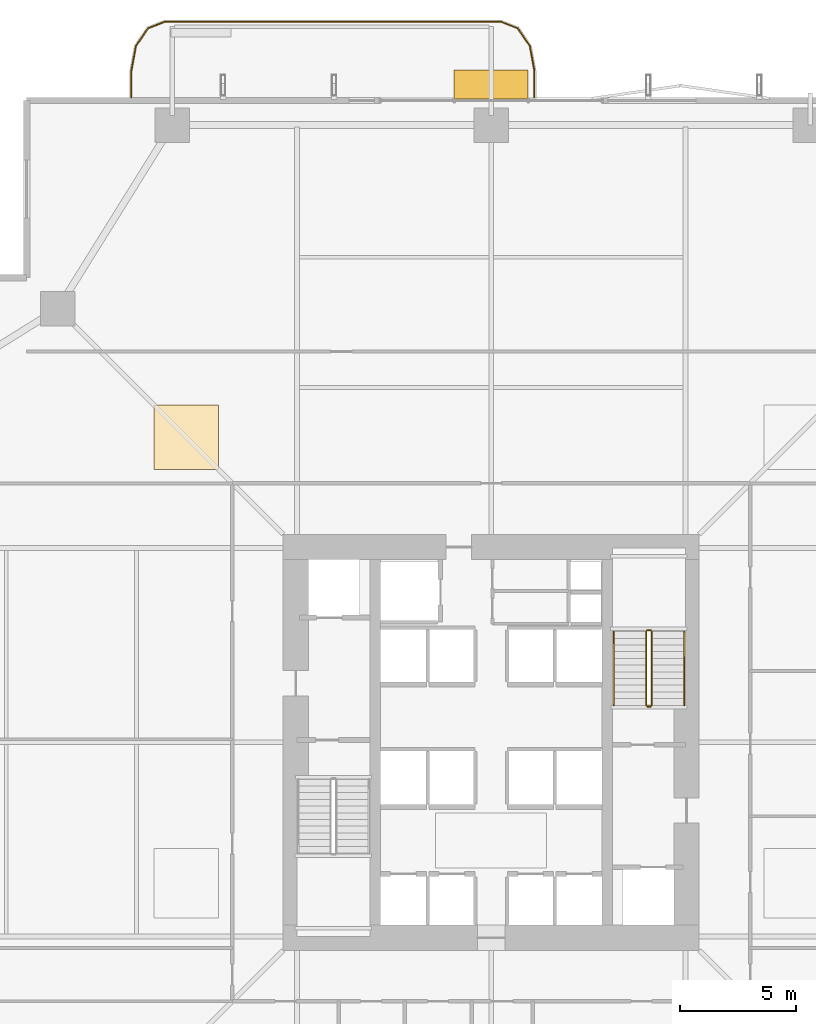
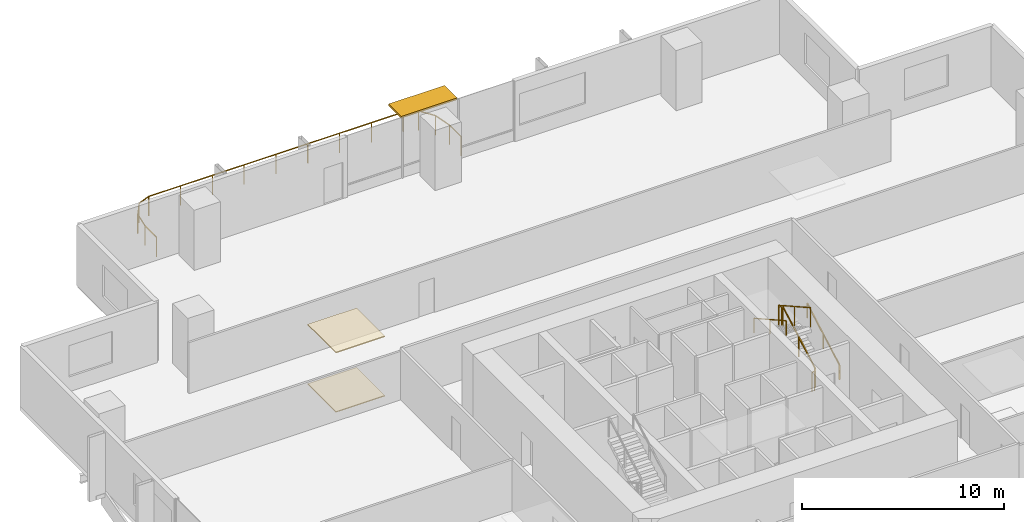
# One storey, part 23 of 24: 7 railings, 2 coverings, 1 shading device.
"""IFC4 building model written with IfcOpenShell, lengths in metres."""

import ifcopenshell
import ifcopenshell.guid

model = None  # the IFC model being written
_history = None  # IfcOwnerHistory: only IFC2X3 demands one
_inside = {}  # id of a spatial element -> (the spatial element, [elements in it])
_under = {}  # id of a project, library or spatial element -> (it, [spatial elements below it])
_declared = {}  # id of a project -> (the project, [libraries it declares])
_typed = {}  # id of a type object -> (the type object, [elements of that type])
_made_of = {}  # id of a material, layer set ... -> (it, [elements and type objects made of it])


def new_model(schema):
    """Start an empty IFC model of exactly this schema.

    Asked for "IFC4X3", IfcOpenShell would pick the latest addendum, in which some entities
    have other attributes; the version numbers below select the first issue.
    IFC2X3 requires an IfcOwnerHistory on every rooted entity: one is made here for all.
    """
    global model, _history
    if schema == "IFC4X3":
        model = ifcopenshell.file(schema_version=(4, 3, 0, 0))
    else:
        model = ifcopenshell.file(schema=schema)
    _inside.clear()
    _under.clear()
    _declared.clear()
    _typed.clear()
    _made_of.clear()
    _history = None
    if model.schema == "IFC2X3":
        org = make("IfcOrganization", Name="unknown")
        user = make(
            "IfcPersonAndOrganization",
            ThePerson=make("IfcPerson", FamilyName="unknown"),
            TheOrganization=org,
        )
        app = make(
            "IfcApplication",
            ApplicationDeveloper=org,
            Version="unknown",
            ApplicationFullName="unknown",
            ApplicationIdentifier="unknown",
        )
        _history = make(
            "IfcOwnerHistory",
            OwningUser=user,
            OwningApplication=app,
            ChangeAction="ADDED",
            CreationDate=0,
        )
    return model


def make(cls, **values):
    """One entity of the class cls with the attributes given. An attribute that is None is left unset."""
    return model.create_entity(
        cls, **{name: value for name, value in values.items() if value is not None}
    )


def rooted(cls, **values):
    """An entity with a GlobalId (a new one), such as an element, a storey or a relation."""
    return make(cls, GlobalId=ifcopenshell.guid.new(), OwnerHistory=_history, **values)


def si_unit(unit_type, name, prefix=None):
    """IfcSIUnit, for example si_unit("LENGTHUNIT", "METRE", prefix="MILLI")."""
    return make("IfcSIUnit", UnitType=unit_type, Prefix=prefix, Name=name)


def assignment(units):
    """IfcUnitAssignment: the units of a project."""
    return None if units is None else make("IfcUnitAssignment", Units=units)


def point(xyz):
    """IfcCartesianPoint."""
    return None if xyz is None else make("IfcCartesianPoint", Coordinates=xyz)


def direction(xyz):
    """IfcDirection."""
    return None if xyz is None else make("IfcDirection", DirectionRatios=xyz)


def frame(location, z_axis=None, x_axis=None):
    """IfcAxis2Placement3D, a coordinate frame: its origin and axes. An axis left out is left unset."""
    return make(
        "IfcAxis2Placement3D",
        Location=point(location),
        Axis=direction(z_axis),
        RefDirection=direction(x_axis),
    )


def frame_2d(location, x_axis=None):
    """IfcAxis2Placement2D, a coordinate frame in the plane: its origin and x axis."""
    return make(
        "IfcAxis2Placement2D", Location=point(location), RefDirection=direction(x_axis)
    )


def origin():
    """The frame at (0, 0, 0) with its axes left unset."""
    return frame((0.0, 0.0, 0.0))


def origin_2d():
    """The frame at (0, 0) in the plane with its x axis left unset."""
    return frame_2d((0.0, 0.0))


def place(relative_to, where):
    """IfcLocalPlacement: puts the frame where relative to a parent placement (None: the world)."""
    return make(
        "IfcLocalPlacement", PlacementRelTo=relative_to, RelativePlacement=where
    )


def context(
    kind, dimensions, precision=None, world=None, true_north=None, identifier=None
):
    """IfcGeometricRepresentationContext, for example the 3D "Model" context."""
    return make(
        "IfcGeometricRepresentationContext",
        ContextIdentifier=identifier,
        ContextType=kind,
        CoordinateSpaceDimension=dimensions,
        Precision=precision,
        WorldCoordinateSystem=world,
        TrueNorth=true_north,
    )


def subcontext(parent, identifier, kind, view, scale=None):
    """IfcGeometricRepresentationSubContext, for example "Body" below "Model"."""
    return make(
        "IfcGeometricRepresentationSubContext",
        ContextIdentifier=identifier,
        ContextType=kind,
        ParentContext=parent,
        TargetScale=scale,
        TargetView=view,
    )


def project(units=None, contexts=None):
    """IfcProject with its units and contexts."""
    return rooted(
        "IfcProject",
        Name="project",
        RepresentationContexts=contexts,
        UnitsInContext=assignment(units),
    )


def spatial(cls, under=None, at=None, **own):
    """A site, building, storey or space (cls), placed at a placement, below another one or the project."""
    s = rooted(cls, ObjectPlacement=at, **own)
    if under is not None:
        _under.setdefault(under.id(), (under, []))[1].append(s)
    return s


def polyline(points):
    """IfcPolyline through the points."""
    return make("IfcPolyline", Points=[point(p) for p in points])


def profile(cls, at=None, kind="AREA", **sizes):
    """A parametric profile (cls). Its sizes go by their IFC names, for example OverallWidth=200.0."""
    return make(cls, ProfileType=kind, Position=at, **sizes)


def rectangle(**sizes):
    """IfcRectangleProfileDef."""
    return profile("IfcRectangleProfileDef", **sizes)


def outline(outer, holes=None, kind="AREA"):
    """IfcArbitraryClosedProfileDef: a profile drawn as a closed curve; with holes, ...WithVoids."""
    if holes is None:
        return make("IfcArbitraryClosedProfileDef", ProfileType=kind, OuterCurve=outer)
    return make(
        "IfcArbitraryProfileDefWithVoids",
        ProfileType=kind,
        OuterCurve=outer,
        InnerCurves=holes,
    )


def extrude(swept, where, along, depth):
    """IfcExtrudedAreaSolid: the profile swept, set in the frame where, extruded along a direction by depth."""
    return make(
        "IfcExtrudedAreaSolid",
        SweptArea=swept,
        Position=where,
        ExtrudedDirection=direction(along),
        Depth=depth,
    )


def shape(context_of_items, identifier, shape_type, items):
    """IfcShapeRepresentation: the items that make up one representation, for example the "Body"."""
    return make(
        "IfcShapeRepresentation",
        ContextOfItems=context_of_items,
        RepresentationIdentifier=identifier,
        RepresentationType=shape_type,
        Items=items,
    )


def material(Name=None, Category=None):
    """IfcMaterial."""
    return make("IfcMaterial", Name=Name, Category=Category)


def layer(
    of_material, thickness, ventilated=None, Name=None, Category=None, Priority=None
):
    """IfcMaterialLayer: one layer of a wall or slab, of a material (None: an air gap)."""
    return make(
        "IfcMaterialLayer",
        Material=of_material,
        LayerThickness=thickness,
        IsVentilated=ventilated,
        Name=Name,
        Category=Category,
        Priority=Priority,
    )


def layer_set(layers, Name=None):
    """IfcMaterialLayerSet."""
    return make("IfcMaterialLayerSet", MaterialLayers=layers, LayerSetName=Name)


def made_of(thing, what):
    """Note that an element or type object is made of a material, layer set ...; save() writes the relation."""
    if what is not None:
        _made_of.setdefault(what.id(), (what, []))[1].append(thing)
    return thing


def type_object(cls, material=None, **own):
    """A type object (cls), such as IfcWallType, which elements share."""
    return made_of(rooted(cls, **own), material)


def element(
    cls,
    number,
    at=None,
    inside=None,
    cuts=None,
    type_object=None,
    material=None,
    context=None,
    identifier="Body",
    shape_type=None,
    held_by="IfcProductDefinitionShape",
    body=None,
    shapes=None,
    **own,
):
    """One element of the class cls, such as IfcWall. Its Tag is "e" and its number.

    at: its placement. inside: the storey or other place that contains it. cuts: it is an
    opening in that element (IfcRelVoidsElement). A single representation is given by context,
    identifier, shape_type and body (its items); several are given by shapes. held_by: the class
    of the entity that holds the representations. save() writes the other relations.
    """
    e = rooted(cls, Tag="e%d" % number, ObjectPlacement=at, **own)
    if body is not None:
        shapes = [shape(context, identifier, shape_type, body)]
    if shapes is not None:
        e.Representation = make(held_by, Representations=shapes)
    if inside is not None:
        _inside.setdefault(inside.id(), (inside, []))[1].append(e)
    if cuts is not None:
        rooted(
            "IfcRelVoidsElement", RelatingBuildingElement=cuts, RelatedOpeningElement=e
        )
    if type_object is not None:
        _typed.setdefault(type_object.id(), (type_object, []))[1].append(e)
    return made_of(e, material)


def aggregate(whole, parts):
    """IfcRelAggregates: a whole, such as a stair, and the parts it consists of."""
    return rooted("IfcRelAggregates", RelatingObject=whole, RelatedObjects=parts)


def save(model, path):
    """Write the relations noted so far, then the file.

    IfcRelAggregates (storeys below a building ...), IfcRelContainedInSpatialStructure (elements
    in a storey), IfcRelDefinesByType, IfcRelAssociatesMaterial and IfcRelDeclares: one each for
    every whole, place, type object, material and project.
    """
    for whole, parts in _under.values():
        aggregate(whole, parts)
    for where, things in _inside.values():
        rooted(
            "IfcRelContainedInSpatialStructure",
            RelatedElements=things,
            RelatingStructure=where,
        )
    for kind, things in _typed.values():
        rooted("IfcRelDefinesByType", RelatedObjects=things, RelatingType=kind)
    for what, things in _made_of.values():
        rooted("IfcRelAssociatesMaterial", RelatedObjects=things, RelatingMaterial=what)
    for by, libraries in _declared.values():
        rooted("IfcRelDeclares", RelatingContext=by, RelatedDefinitions=libraries)
    model.write(path)


model = new_model("IFC4")

# Units and contexts
model_context = context("Model", 3, precision=1e-05, world=origin(), true_north=direction((0.0, 1.0)))
body_context = subcontext(model_context, "Body", "Model", "MODEL_VIEW")
ifc_project = project(units=[si_unit("LENGTHUNIT", "METRE"), si_unit("AREAUNIT", "SQUARE_METRE"), si_unit("VOLUMEUNIT", "CUBIC_METRE"), si_unit("PLANEANGLEUNIT", "RADIAN"), si_unit("MASSUNIT", "GRAM", prefix="KILO")], contexts=[model_context])

# Site, building, storey
site_placement = place(None, origin())
site = spatial("IfcSite", under=ifc_project, at=site_placement, CompositionType="ELEMENT")
building_placement = place(site_placement, origin())
building = spatial("IfcBuilding", under=site, at=building_placement, Name="Belovzor Exchange Tower", CompositionType="ELEMENT")
storey_placement = place(building_placement, frame((0.0, 0.0, 92.39990234375)))
storey = spatial("IfcBuildingStorey", under=building, at=storey_placement, Name="L22", CompositionType="ELEMENT", Elevation=92.39990234375)

# Railings
ifc_material_1 = material(Name="Stainless Steel Grade 304", Category="steel")
railing_type_1 = type_object("IfcRailingType", Name="Brushed Stainless Steel Stair Handrail 900", PredefinedType="HANDRAIL", material=ifc_material_1)
railing_1_placement = place(storey_placement, frame((37.14990234375, 30.39990234375, 0.16259765625)))
element("IfcRailing", 1, at=railing_1_placement, inside=storey, type_object=railing_type_1, Name="L22 ST-2 stair handrail 1", PredefinedType="HANDRAIL", context=body_context, shape_type="SweptSolid", body=[
    extrude(rectangle(XDim=0.048095703125, YDim=0.048095703125, at=origin_2d()), frame((0.0, 0.0, 0.8759765625), z_axis=(0.0, 0.87237847985, 0.488831042279), x_axis=(-1.0, 0.0, 0.0)), (0.0, 0.0, 1.0), 3.656982421875),
    extrude(rectangle(XDim=0.0419921875, YDim=0.0419921875, at=origin_2d()), origin(), (0.0, 0.0, 1.0), 0.851806640625),
    extrude(rectangle(XDim=0.0419921875, YDim=0.0419921875, at=origin_2d()), frame((0.0, 1.59521484375, 0.893798828125)), (0.0, 0.0, 1.0), 0.851806640625),
    extrude(rectangle(XDim=0.0419921875, YDim=0.0419921875, at=origin_2d()), frame((0.0, 3.190185546875, 1.78759765625)), (0.0, 0.0, 1.0), 0.851806640625),
])
railing_2_placement = place(storey_placement, frame((34.10009765625, 33.590087890625, 2.112548828125)))
element("IfcRailing", 2, at=railing_2_placement, inside=storey, type_object=railing_type_1, Name="L22 ST-2 stair handrail 2", PredefinedType="HANDRAIL", context=body_context, shape_type="SweptSolid", body=[
    extrude(rectangle(XDim=0.048095703125, YDim=0.048095703125, at=origin_2d()), frame((0.0, 0.0, 0.8759765625), z_axis=(0.0, -0.87237847985, 0.488831042279), x_axis=(1.0, 0.0, 0.0)), (0.0, 0.0, 1.0), 3.656982421875),
    extrude(rectangle(XDim=0.0419921875, YDim=0.0419921875, at=origin_2d()), origin(), (0.0, 0.0, 1.0), 0.851806640625),
    extrude(rectangle(XDim=0.0419921875, YDim=0.0419921875, at=origin_2d()), frame((0.0, -1.59521484375, 0.893798828125)), (0.0, 0.0, 1.0), 0.851806640625),
    extrude(rectangle(XDim=0.0419921875, YDim=0.0419921875, at=origin_2d()), frame((0.0, -3.190185546875, 1.78759765625)), (0.0, 0.0, 1.0), 0.851806640625),
])
ifc_material_2 = material(Name="Stainless Steel and Laminated Safety Glass", Category="steel")
railing_type_2 = type_object("IfcRailingType", Name="Laminated Glass & Stainless Steel Balcony Balustrade 1200", PredefinedType="BALUSTRADE", material=ifc_material_2)
railing_3_placement = place(storey_placement, frame((30.669921875, 56.7099609375, 0.0)))
element("IfcRailing", 3, at=railing_3_placement, inside=storey, type_object=railing_type_2, Name="GR-1 Balcony Balustrade L22 North", PredefinedType="BALUSTRADE", context=body_context, shape_type="SweptSolid", body=[
    extrude(rectangle(XDim=0.048095703125, YDim=0.048095703125, at=origin_2d()), frame((0.0, 0.0, 1.17578125), z_axis=(0.0, 1.0, 0.0), x_axis=(-1.0, 0.0, 0.0)), (0.0, 0.0, 1.0), 1.133056640625),
    extrude(rectangle(XDim=0.048095703125, YDim=0.048095703125, at=origin_2d()), frame((0.0, 1.133056640625, 1.17578125), z_axis=(-0.180122719713, 0.983644145941, 0.0), x_axis=(-0.983644145941, -0.180122719713, 0.0)), (0.0, 0.0, 1.0), 1.09375),
    extrude(rectangle(XDim=0.048095703125, YDim=0.048095703125, at=origin_2d()), frame((-0.197021484375, 2.208984375, 1.17578125), z_axis=(-0.562768145367, 0.826614792125, 0.0), x_axis=(-0.826614792125, -0.562768145367, 0.0)), (0.0, 0.0, 1.0), 0.9326171875),
    extrude(rectangle(XDim=0.048095703125, YDim=0.048095703125, at=origin_2d()), frame((-0.721923828125, 2.97998046875, 1.17578125), z_axis=(-0.930766990125, 0.365612923861, 0.0), x_axis=(-0.365612923861, -0.930766990125, 0.0)), (0.0, 0.0, 1.0), 0.765869140625),
    extrude(rectangle(XDim=0.048095703125, YDim=0.048095703125, at=origin_2d()), frame((-1.434814453125, 3.260009765625, 1.17578125), z_axis=(-1.0, 0.0, 0.0), x_axis=(0.0, -1.0, 0.0)), (0.0, 0.0, 1.0), 14.570068359375),
    extrude(rectangle(XDim=0.048095703125, YDim=0.048095703125, at=origin_2d()), frame((-16.0048828125, 3.260009765625, 1.17578125), z_axis=(-0.930809580156, -0.365504480807, 0.0), x_axis=(0.365504480807, -0.930809580156, 0.0)), (0.0, 0.0, 1.0), 0.76611328125),
    extrude(rectangle(XDim=0.048095703125, YDim=0.048095703125, at=origin_2d()), frame((-16.718017578125, 2.97998046875, 1.17578125), z_axis=(-0.562768145367, -0.826614792125, 0.0), x_axis=(0.826614792125, -0.562768145367, 0.0)), (0.0, 0.0, 1.0), 0.9326171875),
    extrude(rectangle(XDim=0.048095703125, YDim=0.048095703125, at=origin_2d()), frame((-17.242919921875, 2.208984375, 1.17578125), z_axis=(-0.180122719713, -0.983644145941, 0.0), x_axis=(0.983644145941, -0.180122719713, 0.0)), (0.0, 0.0, 1.0), 1.09375),
    extrude(rectangle(XDim=0.048095703125, YDim=0.048095703125, at=origin_2d()), frame((-17.43994140625, 1.133056640625, 1.17578125), z_axis=(0.0, -1.0, 0.0), x_axis=(1.0, 0.0, 0.0)), (0.0, 0.0, 1.0), 1.133056640625),
    extrude(rectangle(XDim=0.0419921875, YDim=0.0419921875, at=origin_2d()), origin(), (0.0, 0.0, 1.0), 1.15185546875),
    extrude(rectangle(XDim=0.0419921875, YDim=0.0419921875, at=origin_2d()), frame((0.0, 1.133056640625, 0.0)), (0.0, 0.0, 1.0), 1.15185546875),
    extrude(rectangle(XDim=0.0419921875, YDim=0.0419921875, at=origin_2d()), frame((-0.197021484375, 2.208984375, 0.0)), (0.0, 0.0, 1.0), 1.15185546875),
    extrude(rectangle(XDim=0.0419921875, YDim=0.0419921875, at=origin_2d()), frame((-0.721923828125, 2.97998046875, 0.0)), (0.0, 0.0, 1.0), 1.15185546875),
    extrude(rectangle(XDim=0.0419921875, YDim=0.0419921875, at=origin_2d()), frame((-1.434814453125, 3.260009765625, 0.0)), (0.0, 0.0, 1.0), 1.15185546875),
    extrude(rectangle(XDim=0.0419921875, YDim=0.0419921875, at=origin_2d()), frame((-3.256103515625, 3.260009765625, 0.0)), (0.0, 0.0, 1.0), 1.15185546875),
    extrude(rectangle(XDim=0.0419921875, YDim=0.0419921875, at=origin_2d()), frame((-5.077392578125, 3.260009765625, 0.0)), (0.0, 0.0, 1.0), 1.15185546875),
    extrude(rectangle(XDim=0.0419921875, YDim=0.0419921875, at=origin_2d()), frame((-6.898681640625, 3.260009765625, 0.0)), (0.0, 0.0, 1.0), 1.15185546875),
    extrude(rectangle(XDim=0.0419921875, YDim=0.0419921875, at=origin_2d()), frame((-8.7197265625, 3.260009765625, 0.0)), (0.0, 0.0, 1.0), 1.15185546875),
    extrude(rectangle(XDim=0.0419921875, YDim=0.0419921875, at=origin_2d()), frame((-10.541015625, 3.260009765625, 0.0)), (0.0, 0.0, 1.0), 1.15185546875),
    extrude(rectangle(XDim=0.0419921875, YDim=0.0419921875, at=origin_2d()), frame((-12.3623046875, 3.260009765625, 0.0)), (0.0, 0.0, 1.0), 1.15185546875),
    extrude(rectangle(XDim=0.0419921875, YDim=0.0419921875, at=origin_2d()), frame((-14.18359375, 3.260009765625, 0.0)), (0.0, 0.0, 1.0), 1.15185546875),
    extrude(rectangle(XDim=0.0419921875, YDim=0.0419921875, at=origin_2d()), frame((-16.0048828125, 3.260009765625, 0.0)), (0.0, 0.0, 1.0), 1.15185546875),
    extrude(rectangle(XDim=0.0419921875, YDim=0.0419921875, at=origin_2d()), frame((-16.718017578125, 2.97998046875, 0.0)), (0.0, 0.0, 1.0), 1.15185546875),
    extrude(rectangle(XDim=0.0419921875, YDim=0.0419921875, at=origin_2d()), frame((-17.242919921875, 2.208984375, 0.0)), (0.0, 0.0, 1.0), 1.15185546875),
    extrude(rectangle(XDim=0.0419921875, YDim=0.0419921875, at=origin_2d()), frame((-17.43994140625, 1.133056640625, 0.0)), (0.0, 0.0, 1.0), 1.15185546875),
    extrude(rectangle(XDim=0.0419921875, YDim=0.0419921875, at=origin_2d()), frame((-17.43994140625, 0.0, 0.0)), (0.0, 0.0, 1.0), 1.15185546875),
])
ifc_material_3 = material(Name="Steel S355", Category="steel")
railing_type_3 = type_object("IfcRailingType", Name="Painted Steel Stairwell Guardrail 1200", PredefinedType="GUARDRAIL", material=ifc_material_3)
railing_4_placement = place(storey_placement, frame((35.75, 30.39990234375, 0.16259765625)))
element("IfcRailing", 4, at=railing_4_placement, inside=storey, type_object=railing_type_3, Name="L22 ST-2 stair guard 1", PredefinedType="GUARDRAIL", context=body_context, shape_type="SweptSolid", body=[
    extrude(rectangle(XDim=0.048095703125, YDim=0.048095703125, at=origin_2d()), frame((0.0, 0.0, 1.17578125), z_axis=(0.0, 0.87237847985, 0.488831042279), x_axis=(-1.0, 0.0, 0.0)), (0.0, 0.0, 1.0), 3.656982421875),
    extrude(rectangle(XDim=0.0419921875, YDim=0.0419921875, at=origin_2d()), origin(), (0.0, 0.0, 1.0), 1.15185546875),
    extrude(rectangle(XDim=0.0419921875, YDim=0.0419921875, at=origin_2d()), frame((0.0, 1.59521484375, 0.893798828125)), (0.0, 0.0, 1.0), 1.15185546875),
    extrude(rectangle(XDim=0.0419921875, YDim=0.0419921875, at=origin_2d()), frame((0.0, 3.190185546875, 1.78759765625)), (0.0, 0.0, 1.0), 1.15185546875),
])
railing_5_placement = place(storey_placement, frame((35.699951171875, 33.639892578125, 1.9501953125)))
element("IfcRailing", 5, at=railing_5_placement, inside=storey, type_object=railing_type_3, Name="L22 ST-2 stair guard 2", PredefinedType="GUARDRAIL", context=body_context, shape_type="SweptSolid", body=[
    extrude(rectangle(XDim=0.048095703125, YDim=0.048095703125, at=origin_2d()), frame((0.0, 0.0, 1.17578125), z_axis=(-1.0, 0.0, 0.0), x_axis=(0.0, -1.0, 0.0)), (0.0, 0.0, 1.0), 0.14990234375),
    extrude(rectangle(XDim=0.0419921875, YDim=0.0419921875, at=origin_2d()), origin(), (0.0, 0.0, 1.0), 1.15185546875),
    extrude(rectangle(XDim=0.0419921875, YDim=0.0419921875, at=origin_2d()), frame((-0.14990234375, 0.0, 0.0)), (0.0, 0.0, 1.0), 1.15185546875),
])
railing_6_placement = place(storey_placement, frame((35.5, 33.590087890625, 2.112548828125)))
element("IfcRailing", 6, at=railing_6_placement, inside=storey, type_object=railing_type_3, Name="L22 ST-2 stair guard 3", PredefinedType="GUARDRAIL", context=body_context, shape_type="SweptSolid", body=[
    extrude(rectangle(XDim=0.048095703125, YDim=0.048095703125, at=origin_2d()), frame((0.0, 0.0, 1.17578125), z_axis=(0.0, -0.87237847985, 0.488831042279), x_axis=(1.0, 0.0, 0.0)), (0.0, 0.0, 1.0), 3.656982421875),
    extrude(rectangle(XDim=0.0419921875, YDim=0.0419921875, at=origin_2d()), origin(), (0.0, 0.0, 1.0), 1.15185546875),
    extrude(rectangle(XDim=0.0419921875, YDim=0.0419921875, at=origin_2d()), frame((0.0, -1.59521484375, 0.893798828125)), (0.0, 0.0, 1.0), 1.15185546875),
    extrude(rectangle(XDim=0.0419921875, YDim=0.0419921875, at=origin_2d()), frame((0.0, -3.190185546875, 1.78759765625)), (0.0, 0.0, 1.0), 1.15185546875),
])
railing_7_placement = place(storey_placement, frame((35.699951171875, 30.35009765625, 0.0)))
element("IfcRailing", 7, at=railing_7_placement, inside=storey, type_object=railing_type_3, Name="L22 ST-2 stair guard 4", PredefinedType="GUARDRAIL", context=body_context, shape_type="SweptSolid", body=[
    extrude(rectangle(XDim=0.048095703125, YDim=0.048095703125, at=origin_2d()), frame((0.0, 0.0, 1.17578125), z_axis=(-1.0, 0.0, 0.0), x_axis=(0.0, -1.0, 0.0)), (0.0, 0.0, 1.0), 0.14990234375),
    extrude(rectangle(XDim=0.0419921875, YDim=0.0419921875, at=origin_2d()), origin(), (0.0, 0.0, 1.0), 1.15185546875),
    extrude(rectangle(XDim=0.0419921875, YDim=0.0419921875, at=origin_2d()), frame((-0.14990234375, 0.0, 0.0)), (0.0, 0.0, 1.0), 1.15185546875),
])

# Coverings
ifc_material_4 = material(Name="Perforated Powder-Coated Aluminium", Category="aluminium")
ifc_layer_1 = layer(ifc_material_4, 0.06005859375)
ifc_layer_set_1 = layer_set([ifc_layer_1], Name="Perforated Powder-Coated Aluminium")
covering_type_1 = type_object("IfcCoveringType", Name="Perforated Acoustic Metal Tile Suspended Ceiling 60", PredefinedType="CEILING", material=ifc_layer_set_1)
covering_1_placement = place(storey_placement, frame((0.0, 0.0, 3.590087890625)))
element("IfcCovering", 8, at=covering_1_placement, inside=storey, type_object=covering_type_1, Name="CLG-AC60 Suspended Ceiling CLG-L22-Z2", PredefinedType="CEILING", context=body_context, shape_type="SweptSolid", body=[
    extrude(outline(polyline([(14.199951171875, 40.60009765625), (17.0, 40.60009765625), (17.0, 43.39990234375), (14.199951171875, 43.39990234375), (14.199951171875, 40.60009765625)])), origin(), (0.0, 0.0, 1.0), 0.06005859375),
])
ifc_material_5 = material(Name="Polished Natural Granite Tile", Category="masonry")
ifc_layer_2 = layer(ifc_material_5, 0.050048828125)
ifc_layer_set_2 = layer_set([ifc_layer_2], Name="Polished Natural Granite Tile")
covering_type_2 = type_object("IfcCoveringType", Name="Polished Karelian Granite & Raised Access Floor Finish 50", PredefinedType="FLOORING", material=ifc_layer_set_2)
covering_2_placement = place(storey_placement, origin())
element("IfcCovering", 9, at=covering_2_placement, inside=storey, type_object=covering_type_2, Name="FLR-GR50 Floor Finish FLR-L22-Z2", PredefinedType="FLOORING", context=body_context, shape_type="SweptSolid", body=[
    extrude(outline(polyline([(14.199951171875, 40.60009765625), (17.0, 40.60009765625), (17.0, 43.39990234375), (14.199951171875, 43.39990234375), (14.199951171875, 40.60009765625)])), origin(), (0.0, 0.0, 1.0), 0.050048828125),
])

# Shading device
ifc_material_6 = material(Name="Extruded Architectural Terracotta", Category="masonry")
ifc_layer_3 = layer(ifc_material_6, 0.1201171875)
ifc_layer_set_3 = layer_set([ifc_layer_3], Name="Extruded Architectural Terracotta")
shading_device_type = type_object("IfcShadingDeviceType", Name="Streamline Terracotta Horizontal Sunshade Hood 1250", PredefinedType="AWNING", material=ifc_layer_set_3)
shading_device_placement = place(storey_placement, frame((28.800048828125, 57.264892578125, 3.530029296875), z_axis=(0.0, 0.0, 1.0), x_axis=(1.0, 0.0, 0.0)))
element("IfcShadingDevice", 10, at=shading_device_placement, inside=storey, type_object=shading_device_type, Name="SHD-TC125 Terracotta Sunshade L22 N", PredefinedType="AWNING", context=body_context, shape_type="SweptSolid", body=[
    extrude(rectangle(XDim=3.199951171875, YDim=1.25, at=origin_2d()), origin(), (0.0, 0.0, 1.0), 0.1201171875),
])

save(model, "model.ifc")
